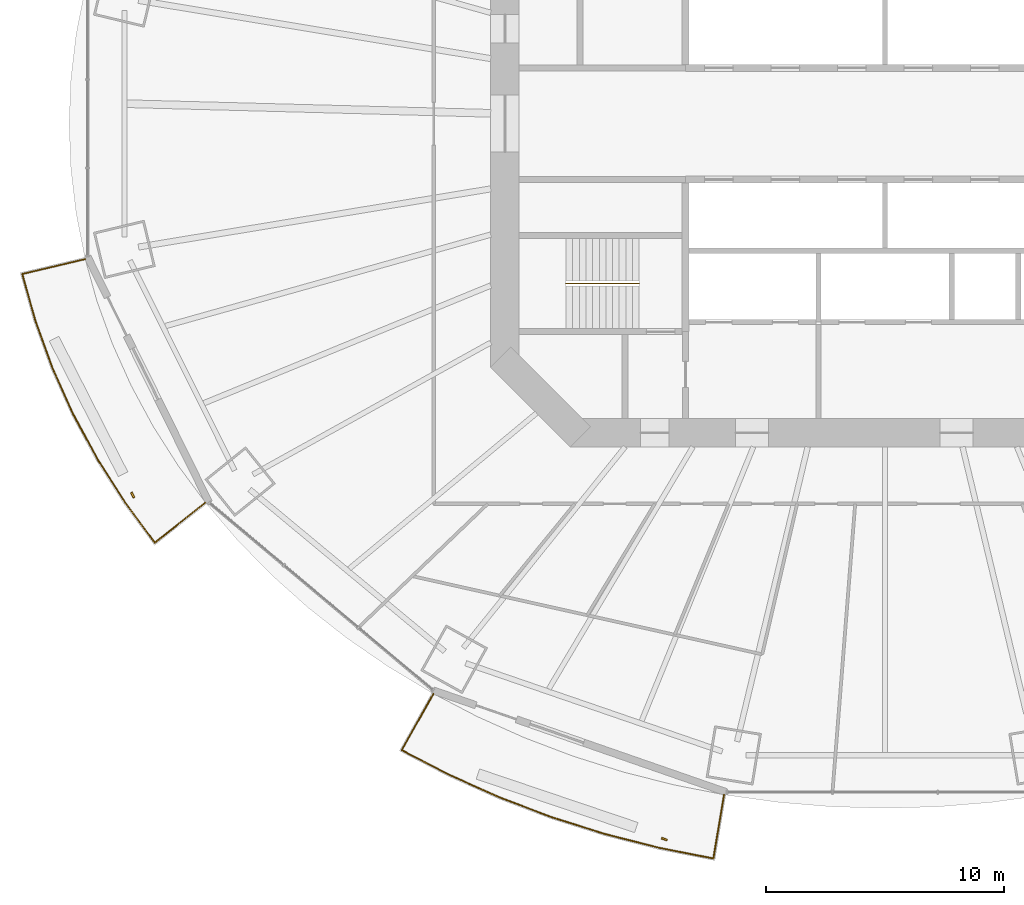
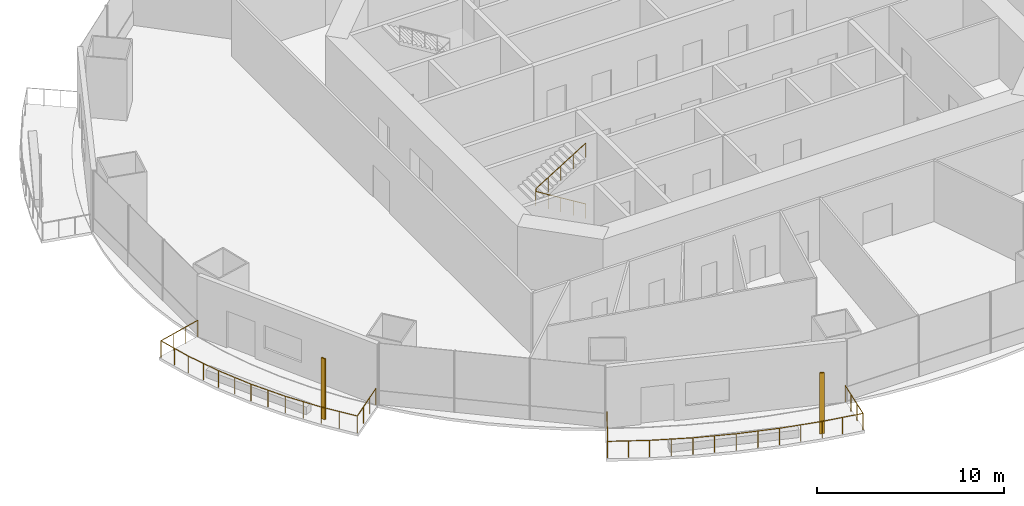
# One storey, part 17 of 22: 3 railings, 2 shading devices.
"""IFC4 building model written with IfcOpenShell, lengths in metres."""

from ifc_helpers import new_model, si_unit, direction, frame, origin, origin_2d, place, context, subcontext, project, spatial, rectangle, circle, extrude, material, material_profile, profile_set, type_object, element, save


model = new_model("IFC4")

# Units and contexts
model_context = context("Model", 3, precision=1e-05, world=origin(), true_north=direction((0.0, 1.0)))
body_context = subcontext(model_context, "Body", "Model", "MODEL_VIEW")
ifc_project = project(units=[si_unit("LENGTHUNIT", "METRE"), si_unit("AREAUNIT", "SQUARE_METRE"), si_unit("VOLUMEUNIT", "CUBIC_METRE"), si_unit("PLANEANGLEUNIT", "RADIAN"), si_unit("MASSUNIT", "GRAM", prefix="KILO")], contexts=[model_context])

# Site, building, storey
site_placement = place(None, origin())
site = spatial("IfcSite", under=ifc_project, at=site_placement, CompositionType="ELEMENT")
building_placement = place(site_placement, origin())
building = spatial("IfcBuilding", under=site, at=building_placement, Name="Marenthal Gate Tower", CompositionType="ELEMENT")
storey_placement = place(building_placement, frame((0.0, 0.0, 107.699951171875)))
storey = spatial("IfcBuildingStorey", under=building, at=storey_placement, Name="L22", CompositionType="ELEMENT", Elevation=107.699951171875)

# Railings
ifc_material_1 = material(Name="Stainless steel", Category="steel")
railing_type_1 = type_object("IfcRailingType", Name="Balcony guard 1100", PredefinedType="GUARDRAIL", material=ifc_material_1)
railing_1_placement = place(storey_placement, frame((-28.607666015625, -15.9423828125, 0.0)))
element("IfcRailing", 1, at=railing_1_placement, inside=storey, type_object=railing_type_1, Name="Balcony guard L22 bay 9", PredefinedType="GUARDRAIL", context=body_context, shape_type="SweptSolid", body=[
    extrude(circle(Radius=0.02392578125, at=origin_2d()), frame((0.0, 0.0, 1.076171875), z_axis=(-0.78234035398, -0.622677225641, -0.014718804411), x_axis=(0.622744685996, -0.782425112112, 0.0)), (0.0, 0.0, 1.0), 2.72021484375),
    extrude(circle(Radius=0.02392578125, at=origin_2d()), frame((-2.128173828125, -1.69384765625, 1.0361328125), z_axis=(-0.594374737218, 0.804188206676, 0.0), x_axis=(-0.804188206676, -0.594374737218, 0.0)), (0.0, 0.0, 1.0), 2.1025390625),
    extrude(circle(Radius=0.02392578125, at=origin_2d()), frame((-3.3779296875, -0.0029296875, 1.0361328125), z_axis=(-0.537437089424, 0.843303844953, 0.0), x_axis=(-0.843303844953, -0.537437089424, 0.0)), (0.0, 0.0, 1.0), 2.16552734375),
    extrude(circle(Radius=0.02392578125, at=origin_2d()), frame((-4.541748046875, 1.8232421875, 1.0361328125), z_axis=(-0.475203433283, 0.87987595546, 0.0), x_axis=(-0.87987595546, -0.475203433283, 0.0)), (0.0, 0.0, 1.0), 2.149658203125),
    extrude(circle(Radius=0.02392578125, at=origin_2d()), frame((-5.563232421875, 3.714599609375, 1.0361328125), z_axis=(-0.40931851754, 0.912391555857, 0.0), x_axis=(-0.912391555857, -0.40931851754, 0.0)), (0.0, 0.0, 1.0), 2.13525390625),
    extrude(circle(Radius=0.02392578125, at=origin_2d()), frame((-6.437255859375, 5.662841796875, 1.0361328125), z_axis=(-0.340071165829, 0.940399703409, 0.0), x_axis=(-0.940399703409, -0.340071165829, 0.0)), (0.0, 0.0, 1.0), 2.122802734375),
    extrude(circle(Radius=0.02392578125, at=origin_2d()), frame((-7.1591796875, 7.6591796875, 1.0361328125), z_axis=(-0.269340401915, 0.963045039391, 0.0), x_axis=(-0.963045039391, -0.269340401915, 0.0)), (0.0, 0.0, 1.0), 2.033203125),
    extrude(circle(Radius=0.02392578125, at=origin_2d()), frame((-7.706787109375, 9.6171875, 1.0361328125), z_axis=(0.972946801612, 0.230559942195, 0.014718501565), x_axis=(-0.230584919848, 0.973052205557, 0.0)), (0.0, 0.0, 1.0), 2.72021484375),
    extrude(circle(Radius=0.02099609375, at=origin_2d()), origin(), (0.0, 0.0, 1.0), 1.052001953125),
    extrude(circle(Radius=0.02099609375, at=origin_2d()), frame((-0.70947265625, -0.564697265625, -0.013427734375)), (0.0, 0.0, 1.0), 1.052001953125),
    extrude(circle(Radius=0.02099609375, at=origin_2d()), frame((-1.418701171875, -1.129150390625, -0.026611328125)), (0.0, 0.0, 1.0), 1.052001953125),
    extrude(circle(Radius=0.02099609375, at=origin_2d()), frame((-2.128173828125, -1.69384765625, -0.0400390625)), (0.0, 0.0, 1.0), 1.052001953125),
    extrude(circle(Radius=0.02099609375, at=origin_2d()), frame((-2.7529296875, -0.848388671875, -0.0400390625)), (0.0, 0.0, 1.0), 1.052001953125),
    extrude(circle(Radius=0.02099609375, at=origin_2d()), frame((-3.3779296875, -0.0029296875, -0.0400390625)), (0.0, 0.0, 1.0), 1.052001953125),
    extrude(circle(Radius=0.02099609375, at=origin_2d()), frame((-3.9599609375, 0.91015625, -0.0400390625)), (0.0, 0.0, 1.0), 1.052001953125),
    extrude(circle(Radius=0.02099609375, at=origin_2d()), frame((-4.541748046875, 1.8232421875, -0.0400390625)), (0.0, 0.0, 1.0), 1.052001953125),
    extrude(circle(Radius=0.02099609375, at=origin_2d()), frame((-5.052490234375, 2.76904296875, -0.0400390625)), (0.0, 0.0, 1.0), 1.052001953125),
    extrude(circle(Radius=0.02099609375, at=origin_2d()), frame((-5.563232421875, 3.714599609375, -0.0400390625)), (0.0, 0.0, 1.0), 1.052001953125),
    extrude(circle(Radius=0.02099609375, at=origin_2d()), frame((-6.000244140625, 4.688720703125, -0.0400390625)), (0.0, 0.0, 1.0), 1.052001953125),
    extrude(circle(Radius=0.02099609375, at=origin_2d()), frame((-6.437255859375, 5.662841796875, -0.0400390625)), (0.0, 0.0, 1.0), 1.052001953125),
    extrude(circle(Radius=0.02099609375, at=origin_2d()), frame((-6.79833984375, 6.6611328125, -0.0400390625)), (0.0, 0.0, 1.0), 1.052001953125),
    extrude(circle(Radius=0.02099609375, at=origin_2d()), frame((-7.1591796875, 7.6591796875, -0.0400390625)), (0.0, 0.0, 1.0), 1.052001953125),
    extrude(circle(Radius=0.02099609375, at=origin_2d()), frame((-7.43310546875, 8.63818359375, -0.0400390625)), (0.0, 0.0, 1.0), 1.052001953125),
    extrude(circle(Radius=0.02099609375, at=origin_2d()), frame((-7.706787109375, 9.6171875, -0.0400390625)), (0.0, 0.0, 1.0), 1.052001953125),
    extrude(circle(Radius=0.02099609375, at=origin_2d()), frame((-6.824462890625, 9.826171875, -0.026611328125)), (0.0, 0.0, 1.0), 1.052001953125),
    extrude(circle(Radius=0.02099609375, at=origin_2d()), frame((-5.9423828125, 10.035400390625, -0.013427734375)), (0.0, 0.0, 1.0), 1.052001953125),
    extrude(circle(Radius=0.02099609375, at=origin_2d()), frame((-5.06005859375, 10.244384765625, 0.0)), (0.0, 0.0, 1.0), 1.052001953125),
])
railing_2_placement = place(storey_placement, frame((-6.779541015625, -28.241455078125, 0.0)))
element("IfcRailing", 2, at=railing_2_placement, inside=storey, type_object=railing_type_1, Name="Balcony guard L22 bay 11", PredefinedType="GUARDRAIL", context=body_context, shape_type="SweptSolid", body=[
    extrude(circle(Radius=0.02392578125, at=origin_2d()), frame((0.0, 0.0, 1.076171875), z_axis=(-0.164686797849, -0.986236088047, -0.014718602097), x_axis=(0.986342933143, -0.164704639396, 0.0)), (0.0, 0.0, 1.0), 2.72021484375),
    extrude(circle(Radius=0.02392578125, at=origin_2d()), frame((-0.447998046875, -2.682861328125, 1.0361328125), z_axis=(-0.981215853429, 0.192913060677, 0.0), x_axis=(-0.192913060677, -0.981215853429, 0.0)), (0.0, 0.0, 1.0), 2.302001953125),
    extrude(circle(Radius=0.02392578125, at=origin_2d()), frame((-2.706787109375, -2.23876953125, 1.0361328125), z_axis=(-0.969104776695, 0.246649410675, 0.0), x_axis=(-0.246649410675, -0.969104776695, 0.0)), (0.0, 0.0, 1.0), 2.37255859375),
    extrude(circle(Radius=0.02392578125, at=origin_2d()), frame((-5.006103515625, -1.653564453125, 1.0361328125), z_axis=(-0.953609232067, 0.30104722639, 0.0), x_axis=(-0.30104722639, -0.953609232067, 0.0)), (0.0, 0.0, 1.0), 2.36083984375),
    extrude(circle(Radius=0.02392578125, at=origin_2d()), frame((-7.25732421875, -0.94287109375, 1.0361328125), z_axis=(-0.934764240257, 0.35526865206, 0.0), x_axis=(-0.35526865206, -0.934764240257, 0.0)), (0.0, 0.0, 1.0), 2.347412109375),
    extrude(circle(Radius=0.02392578125, at=origin_2d()), frame((-9.45166015625, -0.10888671875, 1.0361328125), z_axis=(-0.912494502903, 0.409088966083, 0.0), x_axis=(-0.409088966083, -0.912494502903, 0.0)), (0.0, 0.0, 1.0), 2.332275390625),
    extrude(circle(Radius=0.02392578125, at=origin_2d()), frame((-11.579833984375, 0.84521484375, 1.0361328125), z_axis=(-0.887125590865, 0.461528098855, 0.0), x_axis=(-0.461528098855, -0.887125590865, 0.0)), (0.0, 0.0, 1.0), 2.235595703125),
    extrude(circle(Radius=0.02392578125, at=origin_2d()), frame((-13.56298828125, 1.876953125, 1.0361328125), z_axis=(0.489197979897, 0.87204857286, 0.014718119373), x_axis=(-0.872143041114, 0.489250974283, 0.0)), (0.0, 0.0, 1.0), 2.720458984375),
    extrude(circle(Radius=0.02099609375, at=origin_2d()), origin(), (0.0, 0.0, 1.0), 1.052001953125),
    extrude(circle(Radius=0.02099609375, at=origin_2d()), frame((-0.1494140625, -0.894287109375, -0.013427734375)), (0.0, 0.0, 1.0), 1.052001953125),
    extrude(circle(Radius=0.02099609375, at=origin_2d()), frame((-0.298583984375, -1.78857421875, -0.026611328125)), (0.0, 0.0, 1.0), 1.052001953125),
    extrude(circle(Radius=0.02099609375, at=origin_2d()), frame((-0.447998046875, -2.682861328125, -0.0400390625)), (0.0, 0.0, 1.0), 1.052001953125),
    extrude(circle(Radius=0.02099609375, at=origin_2d()), frame((-1.577392578125, -2.4609375, -0.0400390625)), (0.0, 0.0, 1.0), 1.052001953125),
    extrude(circle(Radius=0.02099609375, at=origin_2d()), frame((-2.706787109375, -2.23876953125, -0.0400390625)), (0.0, 0.0, 1.0), 1.052001953125),
    extrude(circle(Radius=0.02099609375, at=origin_2d()), frame((-3.8564453125, -1.9462890625, -0.0400390625)), (0.0, 0.0, 1.0), 1.052001953125),
    extrude(circle(Radius=0.02099609375, at=origin_2d()), frame((-5.006103515625, -1.653564453125, -0.0400390625)), (0.0, 0.0, 1.0), 1.052001953125),
    extrude(circle(Radius=0.02099609375, at=origin_2d()), frame((-6.1318359375, -1.29833984375, -0.0400390625)), (0.0, 0.0, 1.0), 1.052001953125),
    extrude(circle(Radius=0.02099609375, at=origin_2d()), frame((-7.25732421875, -0.94287109375, -0.0400390625)), (0.0, 0.0, 1.0), 1.052001953125),
    extrude(circle(Radius=0.02099609375, at=origin_2d()), frame((-8.3544921875, -0.52587890625, -0.0400390625)), (0.0, 0.0, 1.0), 1.052001953125),
    extrude(circle(Radius=0.02099609375, at=origin_2d()), frame((-9.45166015625, -0.10888671875, -0.0400390625)), (0.0, 0.0, 1.0), 1.052001953125),
    extrude(circle(Radius=0.02099609375, at=origin_2d()), frame((-10.515625, 0.3681640625, -0.0400390625)), (0.0, 0.0, 1.0), 1.052001953125),
    extrude(circle(Radius=0.02099609375, at=origin_2d()), frame((-11.579833984375, 0.84521484375, -0.0400390625)), (0.0, 0.0, 1.0), 1.052001953125),
    extrude(circle(Radius=0.02099609375, at=origin_2d()), frame((-12.5712890625, 1.361083984375, -0.0400390625)), (0.0, 0.0, 1.0), 1.052001953125),
    extrude(circle(Radius=0.02099609375, at=origin_2d()), frame((-13.56298828125, 1.876953125, -0.0400390625)), (0.0, 0.0, 1.0), 1.052001953125),
    extrude(circle(Radius=0.02099609375, at=origin_2d()), frame((-13.119384765625, 2.667724609375, -0.026611328125)), (0.0, 0.0, 1.0), 1.052001953125),
    extrude(circle(Radius=0.02099609375, at=origin_2d()), frame((-12.67578125, 3.45849609375, -0.013427734375)), (0.0, 0.0, 1.0), 1.052001953125),
    extrude(circle(Radius=0.02099609375, at=origin_2d()), frame((-12.232177734375, 4.249267578125, 0.0)), (0.0, 0.0, 1.0), 1.052001953125),
])
ifc_material_2 = material(Name="Stainless steel", Category="steel")
railing_type_2 = type_object("IfcRailingType", Name="Stair handrail", PredefinedType="HANDRAIL", material=ifc_material_2)
railing_3_placement = place(storey_placement, frame((-10.35009765625, -6.72509765625, 0.1728515625)))
element("IfcRailing", 3, at=railing_3_placement, inside=storey, type_object=railing_type_2, Name="Handrail ST2", PredefinedType="HANDRAIL", context=body_context, shape_type="SweptSolid", body=[
    extrude(circle(Radius=0.0224609375, at=origin_2d()), frame((0.0, 0.0, 0.927490234375), z_axis=(-0.850816621229, 0.0, 0.525462726595), x_axis=(0.0, -1.0, 0.0)), (0.0, 0.0, 1.0), 3.619873046875),
    extrude(circle(Radius=0.0224609375, at=origin_2d()), frame((-3.079833984375, 0.0, 2.82958984375), z_axis=(0.0, 0.0, 1.0), x_axis=(1.0, 0.0, 0.0)), (0.0, 0.0, 1.0), 0.173095703125),
    extrude(circle(Radius=0.0224609375, at=origin_2d()), frame((-3.079833984375, 0.0, 3.002685546875), z_axis=(0.850816621229, 0.0, 0.525462726595), x_axis=(0.0, 1.0, 0.0)), (0.0, 0.0, 1.0), 3.619873046875),
    extrude(circle(Radius=0.02001953125, at=origin_2d()), origin(), (0.0, 0.0, 1.0), 0.905029296875),
    extrude(circle(Radius=0.02001953125, at=origin_2d()), frame((-0.77001953125, 0.0, 0.4755859375)), (0.0, 0.0, 1.0), 0.905029296875),
    extrude(circle(Radius=0.02001953125, at=origin_2d()), frame((-1.5400390625, 0.0, 0.951171875)), (0.0, 0.0, 1.0), 0.905029296875),
    extrude(circle(Radius=0.02001953125, at=origin_2d()), frame((-2.309814453125, 0.0, 1.426513671875)), (0.0, 0.0, 1.0), 0.905029296875),
    extrude(circle(Radius=0.02001953125, at=origin_2d()), frame((-3.079833984375, 0.0, 1.902099609375)), (0.0, 0.0, 1.0), 0.905029296875),
    extrude(circle(Radius=0.02001953125, at=origin_2d()), frame((-3.079833984375, 0.0, 2.0751953125)), (0.0, 0.0, 1.0), 0.905029296875),
    extrude(circle(Radius=0.02001953125, at=origin_2d()), frame((-2.309814453125, 0.0, 2.55078125)), (0.0, 0.0, 1.0), 0.905029296875),
    extrude(circle(Radius=0.02001953125, at=origin_2d()), frame((-1.5400390625, 0.0, 3.0263671875)), (0.0, 0.0, 1.0), 0.905029296875),
    extrude(circle(Radius=0.02001953125, at=origin_2d()), frame((-0.77001953125, 0.0, 3.501708984375)), (0.0, 0.0, 1.0), 0.905029296875),
    extrude(circle(Radius=0.02001953125, at=origin_2d()), frame((0.0, 0.0, 3.977294921875)), (0.0, 0.0, 1.0), 0.905029296875),
])

# Shading devices
ifc_material_3 = material(Name="Terracotta", Category="masonry")
ifc_material_profile = material_profile(ifc_material_3, rectangle(XDim=0.25, YDim=0.080078125, at=origin_2d()), Name="Terracotta baguette 250x80")
ifc_profile_set = profile_set([ifc_material_profile], Name="Terracotta")
shading_device_type = type_object("IfcShadingDeviceType", Name="Terracotta BAGUETTE SCREEN 250x80", PredefinedType="USERDEFINED", material=ifc_profile_set)
for number, where, z_axis, x_axis, name in (
    (4, (-31.668212890625, -15.629150390625, -0.0400390625), (0.0, 0.0, 1.0), (0.442731257123, -0.896654355907, 0.0), "Terracotta BAGUETTE L22 bay 9R"),
    (5, (-9.29296875, -30.107666015625, -0.0400390625), (0.0, 0.0, 1.0), (0.94459732274, -0.328231469959, 0.0), "Terracotta BAGUETTE L22 bay 11R"),
):
    element("IfcShadingDevice", number, at=place(storey_placement, frame(where, z_axis=z_axis, x_axis=x_axis)), inside=storey, type_object=shading_device_type, Name=name, ObjectType="BAGUETTE SCREEN", PredefinedType="USERDEFINED", context=body_context, shape_type="SweptSolid", body=[
        extrude(rectangle(XDim=0.25, YDim=0.080078125, at=origin_2d()), origin(), (0.0, 0.0, 1.0), 3.969970703125),
    ])

save(model, "model.ifc")
